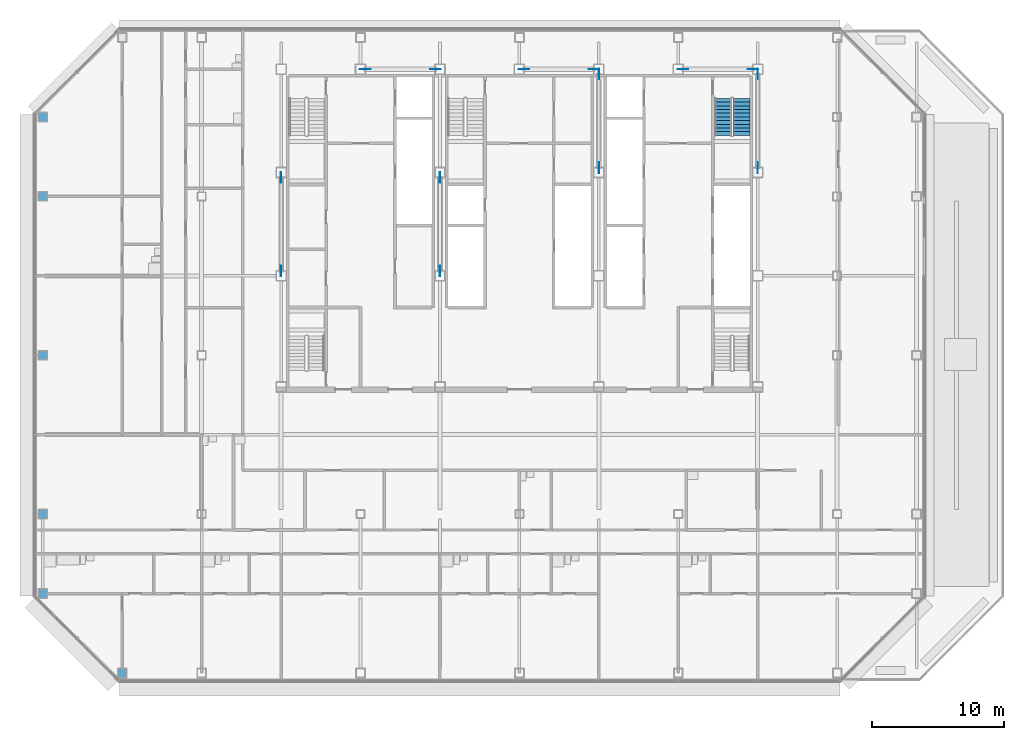
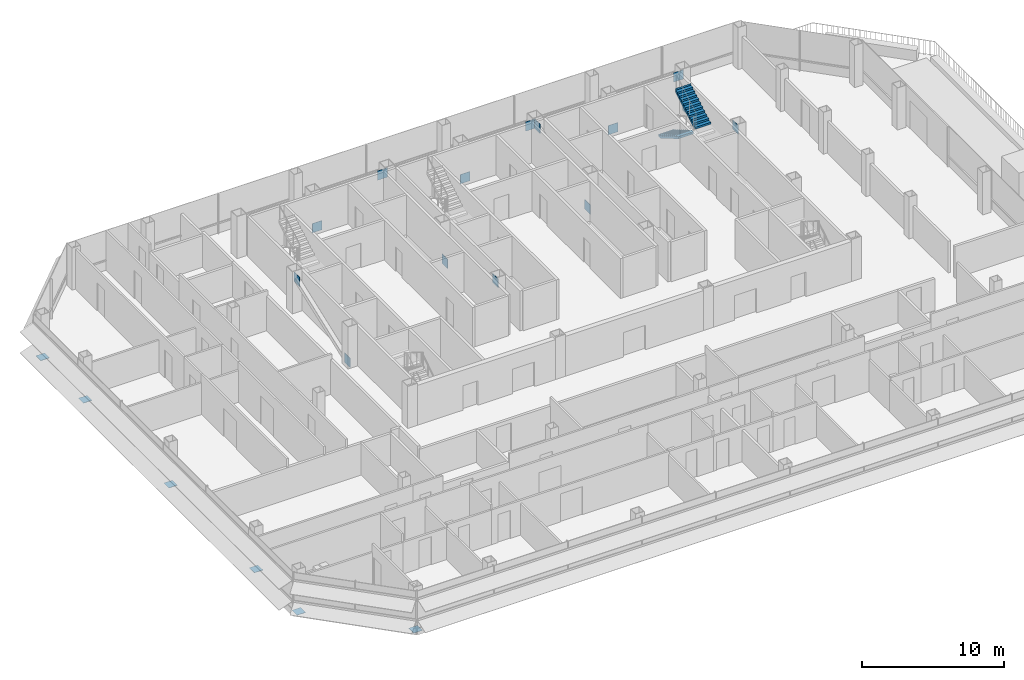
# One storey, part 22 of 27: 20 discrete accessories, 2 stair flights, 1 element without a shape of its own.
"""IFC4 building model written with IfcOpenShell, lengths in metres."""

from ifc_helpers import new_model, si_unit, direction, frame, origin, origin_2d, place, context, subcontext, project, spatial, polyline, rectangle, outline, extrude, material, layer, layer_set, type_object, element, aggregate, save


model = new_model("IFC4")

# Units and contexts
model_context = context("Model", 3, precision=1e-05, world=origin(), true_north=direction((0.0, 1.0)))
body_context = subcontext(model_context, "Body", "Model", "MODEL_VIEW")
ifc_project = project(units=[si_unit("LENGTHUNIT", "METRE"), si_unit("AREAUNIT", "SQUARE_METRE"), si_unit("VOLUMEUNIT", "CUBIC_METRE"), si_unit("PLANEANGLEUNIT", "RADIAN"), si_unit("MASSUNIT", "GRAM", prefix="KILO")], contexts=[model_context])

# Site, building, storey
site_placement = place(None, origin())
site = spatial("IfcSite", under=ifc_project, at=site_placement, CompositionType="ELEMENT")
building_placement = place(site_placement, origin())
building = spatial("IfcBuilding", under=site, at=building_placement, Name="Sorahane Residences", CompositionType="ELEMENT")
storey_placement = place(building_placement, frame((0.0, 0.0, 192.0)))
storey = spatial("IfcBuildingStorey", under=building, at=storey_placement, Name="L44", CompositionType="ELEMENT", Elevation=192.0)

# Stair, stair flights
ifc_material_1 = material(Name="Concrete C40", Category="concrete")
stair_type = type_object("IfcStairType", Name="Dog-leg stair 1250 Concrete C40", PredefinedType="HALF_TURN_STAIR", material=ifc_material_1)
stair_placement = place(storey_placement, origin())
stair = element("IfcStair", 1, at=stair_placement, inside=storey, type_object=stair_type, Name="L44 Stair S2", PredefinedType="HALF_TURN_STAIR")
ifc_material_2 = material(Name="Concrete C40", Category="concrete")
stair_flight_type = type_object("IfcStairFlightType", Name="Stair flight 1250 Concrete C40", PredefinedType="STRAIGHT", material=ifc_material_2)
stair_flight_1_placement = place(storey_placement, frame((39.375, 43.39990234375, 0.0), z_axis=(0.0, 0.0, 1.0), x_axis=(0.0, -1.0, 0.0)))
stair_flight_1 = element("IfcStairFlight", 2, at=stair_flight_1_placement, type_object=stair_flight_type, Name="S2 flight 1", NumberOfRisers=11, NumberOfTreads=10, PredefinedType="STRAIGHT", RiserHeight=0.163636364, TreadLength=0.28, context=body_context, shape_type="SweptSolid", body=[
    extrude(outline(polyline([(-0.00146484375, 0.0), (-0.00146484375, 0.16357421875), (0.0, 0.16357421875), (0.280029296875, 0.16357421875), (0.280029296875, 0.327392578125), (0.56005859375, 0.327392578125), (0.56005859375, 0.490966796875), (0.840087890625, 0.490966796875), (0.840087890625, 0.654541015625), (1.1201171875, 0.654541015625), (1.1201171875, 0.818115234375), (1.39990234375, 0.818115234375), (1.39990234375, 0.98193359375), (1.679931640625, 0.98193359375), (1.679931640625, 1.1455078125), (1.9599609375, 1.1455078125), (1.9599609375, 1.30908203125), (2.239990234375, 1.30908203125), (2.239990234375, 1.47265625), (2.52001953125, 1.47265625), (2.52001953125, 1.636474609375), (2.800048828125, 1.636474609375), (2.800048828125, 1.800048828125), (2.800048828125, 1.462646484375), (2.59130859375, 1.3408203125), (2.3828125, 1.218994140625), (2.17431640625, 1.09716796875), (1.965576171875, 0.97509765625), (1.757080078125, 0.853271484375), (1.548583984375, 0.7314453125), (1.340087890625, 0.609375), (1.13134765625, 0.487548828125), (0.9228515625, 0.36572265625), (0.71435546875, 0.243896484375), (0.505615234375, 0.121826171875), (0.297119140625, 0.0), (-0.00146484375, 0.0)])), frame((0.0, 0.625, 0.0), z_axis=(0.0, -1.0, 0.0), x_axis=(1.0, 0.0, 0.0)), (0.0, 0.0, 1.0), 1.25),
])
stair_flight_2_placement = place(storey_placement, frame((40.77490234375, 40.60009765625, 1.800048828125), z_axis=(0.0, 0.0, 1.0), x_axis=(0.0, 1.0, 0.0)))
stair_flight_2 = element("IfcStairFlight", 3, at=stair_flight_2_placement, type_object=stair_flight_type, Name="S2 flight 2", NumberOfRisers=11, NumberOfTreads=10, PredefinedType="STRAIGHT", RiserHeight=0.163636364, TreadLength=0.28, context=body_context, shape_type="SweptSolid", body=[
    extrude(outline(polyline([(0.0, 0.0), (0.0, 0.16357421875), (0.280029296875, 0.16357421875), (0.280029296875, 0.327392578125), (0.56005859375, 0.327392578125), (0.56005859375, 0.490966796875), (0.840087890625, 0.490966796875), (0.840087890625, 0.654541015625), (1.1201171875, 0.654541015625), (1.1201171875, 0.818115234375), (1.39990234375, 0.818115234375), (1.39990234375, 0.98193359375), (1.679931640625, 0.98193359375), (1.679931640625, 1.1455078125), (1.9599609375, 1.1455078125), (1.9599609375, 1.30908203125), (2.239990234375, 1.30908203125), (2.239990234375, 1.47265625), (2.52001953125, 1.47265625), (2.52001953125, 1.636474609375), (2.800048828125, 1.636474609375), (2.800048828125, 1.800048828125), (2.801513671875, 1.800048828125), (2.801513671875, 1.462646484375), (2.5927734375, 1.3408203125), (2.384033203125, 1.218994140625), (2.17529296875, 1.09716796875), (1.966796875, 0.97509765625), (1.758056640625, 0.853271484375), (1.54931640625, 0.7314453125), (1.340576171875, 0.609375), (1.1318359375, 0.487548828125), (0.923095703125, 0.36572265625), (0.714599609375, 0.243896484375), (0.505859375, 0.121826171875), (0.297119140625, 0.0), (0.0, 0.0)])), frame((0.0, 0.625, 0.0), z_axis=(0.0, -1.0, 0.0), x_axis=(1.0, 0.0, 0.0)), (0.0, 0.0, 1.0), 1.25),
])
aggregate(stair, [stair_flight_1, stair_flight_2])

# Discrete accessories
ifc_material_3 = material(Name="Steel Q355B", Category="steel")
ifc_layer_1 = layer(ifc_material_3, 0.02001953125)
ifc_layer_set_1 = layer_set([ifc_layer_1], Name="End plate Steel Q355B 700x700x20")
discrete_accessory_type_1 = type_object("IfcDiscreteAccessoryType", Name="End plate Steel Q355B 700x700x20", PredefinedType="USERDEFINED", material=ifc_layer_set_1)
for number, where, z_axis, x_axis, name in (
    (4, (-12.0, 12.0, -0.320068359375), (0.0, 0.0, 1.0), (1.0, 0.0, 0.0), "End plate L44"),
    (5, (-12.0, 24.0, -0.320068359375), (0.0, 0.0, 1.0), (1.0, 0.0, 0.0), "End plate L44"),
    (6, (-12.0, 36.0, -0.320068359375), (0.0, 0.0, 1.0), (1.0, 0.0, 0.0), "End plate L44"),
    (7, (-12.0, 42.0, -0.320068359375), (0.0, 0.0, 1.0), (1.0, 0.0, 0.0), "End plate L44"),
    (8, (-12.0, 6.0, -0.320068359375), (0.0, 0.0, 1.0), (1.0, 0.0, 0.0), "End plate L44"),
    (9, (-6.0, 0.0, -0.320068359375), (0.0, 0.0, 1.0), (1.0, 0.0, 0.0), "End plate L44"),
):
    element("IfcDiscreteAccessory", number, at=place(storey_placement, frame(where, z_axis=z_axis, x_axis=x_axis)), inside=storey, type_object=discrete_accessory_type_1, Name=name, ObjectType="END PLATE", PredefinedType="USERDEFINED", context=body_context, shape_type="SweptSolid", body=[
        extrude(rectangle(XDim=0.699951171875, YDim=0.699951171875, at=origin_2d()), origin(), (0.0, 0.0, 1.0), 0.02001953125),
    ])
ifc_material_4 = material(Name="Steel Q355B", Category="steel")
ifc_layer_2 = layer(ifc_material_4, 0.02490234375)
ifc_layer_set_2 = layer_set([ifc_layer_2], Name="Node plate Steel Q355B 25")
discrete_accessory_type_2 = type_object("IfcDiscreteAccessoryType", Name="Node plate Steel Q355B 25", PredefinedType="BRACKET", material=ifc_layer_set_2)
for number, where, z_axis, x_axis, name in (
    (10, (6.0, 30.36328125, -0.23876953125), (0.0, 0.0, 1.0), (0.0, 1.0, 0.0), "Node plate L44 br"),
    (11, (6.0, 37.436767578125, 2.40869140625), (0.0, 0.0, 1.0), (0.0, 1.0, 0.0), "Node plate L44 br"),
    (12, (18.0, 37.436767578125, -0.23876953125), (0.0, 0.0, 1.0), (0.0, 1.0, 0.0), "Node plate L44 br"),
    (13, (18.0, 30.36328125, 2.40869140625), (0.0, 0.0, 1.0), (0.0, 1.0, 0.0), "Node plate L44 br"),
    (14, (30.0, 38.1630859375, -0.23876953125), (0.0, 0.0, 1.0), (0.0, 1.0, 0.0), "Node plate L44 br"),
    (15, (30.0, 45.23681640625, 2.40869140625), (0.0, 0.0, 1.0), (0.0, 1.0, 0.0), "Node plate L44 br"),
    (16, (42.0, 45.23681640625, -0.23876953125), (0.0, 0.0, 1.0), (0.0, 1.0, 0.0), "Node plate L44 br"),
    (17, (42.0, 38.1630859375, 2.40869140625), (0.0, 0.0, 1.0), (0.0, 1.0, 0.0), "Node plate L44 br"),
    (18, (12.352783203125, 45.60009765625, -0.2490234375), (0.0, 0.0, 1.0), (1.0, 0.0, 0.0), "Node plate L44 br"),
    (19, (24.352783203125, 45.60009765625, -0.2490234375), (0.0, 0.0, 1.0), (1.0, 0.0, 0.0), "Node plate L44 br"),
    (20, (36.352783203125, 45.60009765625, -0.2490234375), (0.0, 0.0, 1.0), (1.0, 0.0, 0.0), "Node plate L44 br"),
    (21, (17.647216796875, 45.60009765625, 2.4189453125), (0.0, 0.0, 1.0), (1.0, 0.0, 0.0), "Node plate L44 br"),
    (22, (29.647216796875, 45.60009765625, 2.4189453125), (0.0, 0.0, 1.0), (1.0, 0.0, 0.0), "Node plate L44 br"),
    (23, (41.647216796875, 45.60009765625, 2.4189453125), (0.0, 0.0, 1.0), (1.0, 0.0, 0.0), "Node plate L44 br"),
):
    element("IfcDiscreteAccessory", number, at=place(storey_placement, frame(where, z_axis=z_axis, x_axis=x_axis)), inside=storey, type_object=discrete_accessory_type_2, Name=name, PredefinedType="BRACKET", context=body_context, shape_type="SweptSolid", body=[
        extrude(rectangle(XDim=0.800048828125, YDim=0.02490234375, at=origin_2d()), origin(), (0.0, 0.0, 1.0), 0.800048828125),
    ])

save(model, "model.ifc")
